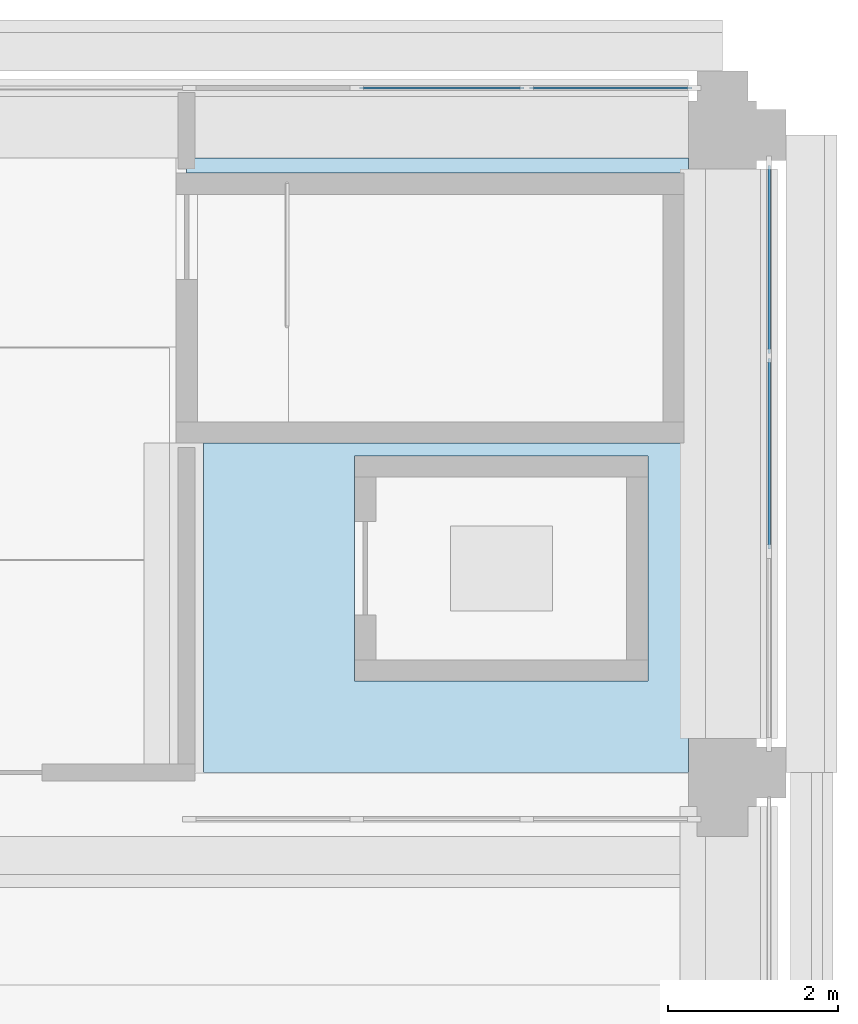
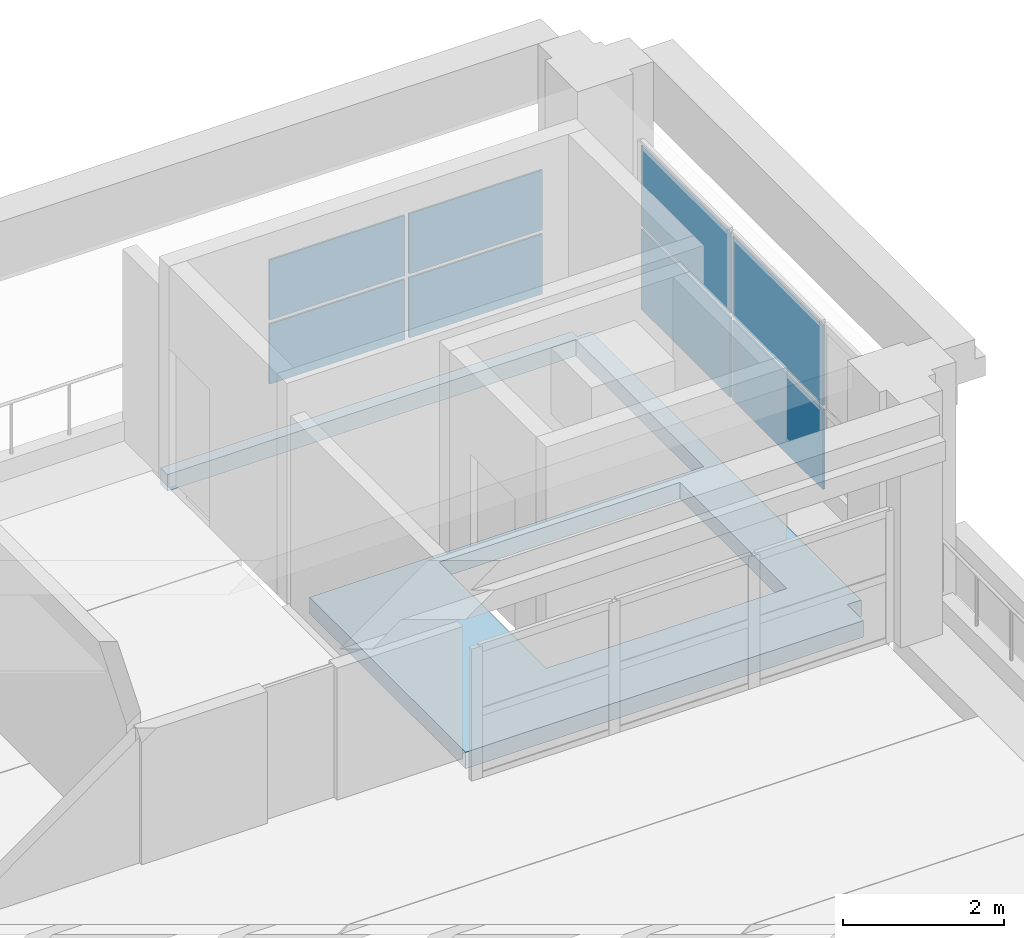
# One storey, part 40 of 62: 8 plates, 1 slab, 2 elements without a shape of their own.
"""IFC4 building model written with IfcOpenShell, lengths in metres."""

from ifc_helpers import new_model, si_unit, direction, frame, origin, origin_2d, place, context, subcontext, project, spatial, polyline, rectangle, outline, extrude, material, layer, layer_set, type_object, element, aggregate, save


model = new_model("IFC4")

# Units and contexts
model_context = context("Model", 3, precision=1e-05, world=origin(), true_north=direction((0.0, 1.0)))
body_context = subcontext(model_context, "Body", "Model", "MODEL_VIEW")
ifc_project = project(units=[si_unit("LENGTHUNIT", "METRE"), si_unit("AREAUNIT", "SQUARE_METRE"), si_unit("VOLUMEUNIT", "CUBIC_METRE"), si_unit("PLANEANGLEUNIT", "RADIAN"), si_unit("MASSUNIT", "GRAM", prefix="KILO")], contexts=[model_context])

# Site, building, storey
site_placement = place(None, origin())
site = spatial("IfcSite", under=ifc_project, at=site_placement, CompositionType="ELEMENT")
building_placement = place(site_placement, origin())
building = spatial("IfcBuilding", under=site, at=building_placement, Name="Cour d'Honneur Mobility Palace", CompositionType="ELEMENT")
storey_placement = place(building_placement, frame((0.0, 0.0, 19.300048828125)))
storey = spatial("IfcBuildingStorey", under=building, at=storey_placement, Name="L05", CompositionType="ELEMENT", Elevation=19.300048828125)

# Slab
ifc_material_1 = material(Name="Concrete C50", Category="concrete")
ifc_layer_1 = layer(ifc_material_1, 0.25)
ifc_layer_set_1 = layer_set([ifc_layer_1], Name="Concrete C50")
slab_type = type_object("IfcSlabType", Name="Cast-in-place Slab 250", PredefinedType="FLOOR", material=ifc_layer_set_1)
slab_placement = place(storey_placement, frame((0.0, 0.0, -0.25)))
element("IfcSlab", 1, at=slab_placement, inside=storey, type_object=slab_type, Name="Cast-in-place slab S1 L05 core", PredefinedType="FLOOR", context=body_context, shape_type="SweptSolid", body=[
    extrude(outline(polyline([(161.89990234375, 114.5), (162.10009765625, 114.5), (162.10009765625, 107.800048828125), (161.89990234375, 107.800048828125), (161.89990234375, 107.39990234375), (156.199951171875, 107.39990234375), (156.199951171875, 111.27490234375), (161.85009765625, 111.27490234375), (161.85009765625, 114.449951171875), (156.0, 114.449951171875), (156.0, 114.625), (161.89990234375, 114.625), (161.89990234375, 114.5)]), holes=[polyline([(161.425048828125, 111.125), (157.97509765625, 111.125), (157.97509765625, 108.47509765625), (161.425048828125, 108.47509765625), (161.425048828125, 111.125)])]), origin(), (0.0, 0.0, 1.0), 0.25),
])

# Curtain wall, plates
ifc_material_2 = material(Name="Aluminium and glass", Category="aluminium")
ifc_layer_2 = layer(ifc_material_2, 0.10009765625)
ifc_layer_set_2 = layer_set([ifc_layer_2], Name="Aluminium and glass")
curtain_wall_type = type_object("IfcCurtainWallType", Name="Curtain wall run", PredefinedType="NOTDEFINED", material=ifc_layer_set_2)
curtain_wall_1_placement = place(storey_placement, origin())
curtain_wall_1 = element("IfcCurtainWall", 2, at=curtain_wall_1_placement, inside=storey, type_object=curtain_wall_type, Name="Curtain wall CW-121", PredefinedType="NOTDEFINED")
ifc_material_3 = material(Name="Double glazing", Category="glass")
ifc_layer_3 = layer(ifc_material_3, 0.028076171875)
ifc_layer_set_3 = layer_set([ifc_layer_3], Name="Double glazing")
plate_type = type_object("IfcPlateType", Name="Curtain wall panel", PredefinedType="CURTAIN_PANEL", material=ifc_layer_set_3)
plate_1_placement = place(storey_placement, frame((160.985107421875, 115.449951171875, 0.06005859375), z_axis=(0.0, 0.0, 1.0), x_axis=(-1.0, 0.0, 0.0)))
plate_1 = element("IfcPlate", 3, at=plate_1_placement, type_object=plate_type, Name="CW-121 panel 1.1", PredefinedType="CURTAIN_PANEL", context=body_context, shape_type="SweptSolid", body=[
    extrude(rectangle(XDim=1.909912109375, YDim=0.028076171875, at=origin_2d()), origin(), (0.0, 0.0, 1.0), 0.909912109375),
])
plate_2_placement = place(storey_placement, frame((160.985107421875, 115.449951171875, 1.02978515625), z_axis=(0.0, 0.0, 1.0), x_axis=(-1.0, 0.0, 0.0)))
plate_2 = element("IfcPlate", 4, at=plate_2_placement, type_object=plate_type, Name="CW-121 panel 1.2", PredefinedType="CURTAIN_PANEL", context=body_context, shape_type="SweptSolid", body=[
    extrude(rectangle(XDim=1.909912109375, YDim=0.028076171875, at=origin_2d()), origin(), (0.0, 0.0, 1.0), 0.909912109375),
])
plate_3_placement = place(storey_placement, frame((159.0, 115.449951171875, 0.06005859375), z_axis=(0.0, 0.0, 1.0), x_axis=(-1.0, 0.0, 0.0)))
plate_3 = element("IfcPlate", 5, at=plate_3_placement, type_object=plate_type, Name="CW-121 panel 2.1", PredefinedType="CURTAIN_PANEL", context=body_context, shape_type="SweptSolid", body=[
    extrude(rectangle(XDim=1.93994140625, YDim=0.028076171875, at=origin_2d()), origin(), (0.0, 0.0, 1.0), 0.909912109375),
])
plate_4_placement = place(storey_placement, frame((159.0, 115.449951171875, 1.02978515625), z_axis=(0.0, 0.0, 1.0), x_axis=(-1.0, 0.0, 0.0)))
plate_4 = element("IfcPlate", 6, at=plate_4_placement, type_object=plate_type, Name="CW-121 panel 2.2", PredefinedType="CURTAIN_PANEL", context=body_context, shape_type="SweptSolid", body=[
    extrude(rectangle(XDim=1.93994140625, YDim=0.028076171875, at=origin_2d()), origin(), (0.0, 0.0, 1.0), 0.909912109375),
])
aggregate(curtain_wall_1, [plate_1, plate_2, plate_3, plate_4])

curtain_wall_2_placement = place(storey_placement, origin())
curtain_wall_2 = element("IfcCurtainWall", 7, at=curtain_wall_2_placement, inside=storey, type_object=curtain_wall_type, Name="Curtain wall CW-123", PredefinedType="NOTDEFINED")
plate_5_placement = place(storey_placement, frame((162.85009765625, 111.14990234375, 0.06005859375), z_axis=(0.0, 0.0, 1.0), x_axis=(0.0, 1.0, 0.0)))
plate_5 = element("IfcPlate", 8, at=plate_5_placement, type_object=plate_type, Name="CW-123 panel 2.1", PredefinedType="CURTAIN_PANEL", context=body_context, shape_type="SweptSolid", body=[
    extrude(rectangle(XDim=2.239990234375, YDim=0.028076171875, at=origin_2d()), origin(), (0.0, 0.0, 1.0), 1.2099609375),
])
plate_6_placement = place(storey_placement, frame((162.85009765625, 111.14990234375, 1.330078125), z_axis=(0.0, 0.0, 1.0), x_axis=(0.0, 1.0, 0.0)))
plate_6 = element("IfcPlate", 9, at=plate_6_placement, type_object=plate_type, Name="CW-123 panel 2.2", PredefinedType="CURTAIN_PANEL", context=body_context, shape_type="SweptSolid", body=[
    extrude(rectangle(XDim=2.239990234375, YDim=0.028076171875, at=origin_2d()), origin(), (0.0, 0.0, 1.0), 1.2099609375),
])
plate_7_placement = place(storey_placement, frame((162.85009765625, 113.43505859375, 0.06005859375), z_axis=(0.0, 0.0, 1.0), x_axis=(0.0, 1.0, 0.0)))
plate_7 = element("IfcPlate", 10, at=plate_7_placement, type_object=plate_type, Name="CW-123 panel 3.1", PredefinedType="CURTAIN_PANEL", context=body_context, shape_type="SweptSolid", body=[
    extrude(rectangle(XDim=2.2099609375, YDim=0.028076171875, at=origin_2d()), origin(), (0.0, 0.0, 1.0), 1.2099609375),
])
plate_8_placement = place(storey_placement, frame((162.85009765625, 113.43505859375, 1.330078125), z_axis=(0.0, 0.0, 1.0), x_axis=(0.0, 1.0, 0.0)))
plate_8 = element("IfcPlate", 11, at=plate_8_placement, type_object=plate_type, Name="CW-123 panel 3.2", PredefinedType="CURTAIN_PANEL", context=body_context, shape_type="SweptSolid", body=[
    extrude(rectangle(XDim=2.2099609375, YDim=0.028076171875, at=origin_2d()), origin(), (0.0, 0.0, 1.0), 1.2099609375),
])
aggregate(curtain_wall_2, [plate_5, plate_6, plate_7, plate_8])

save(model, "model.ifc")
